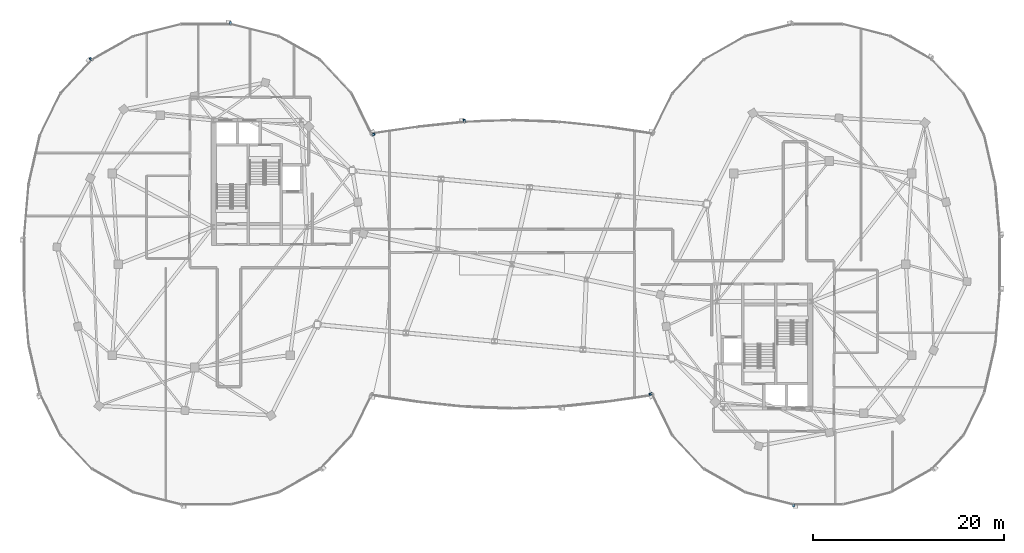
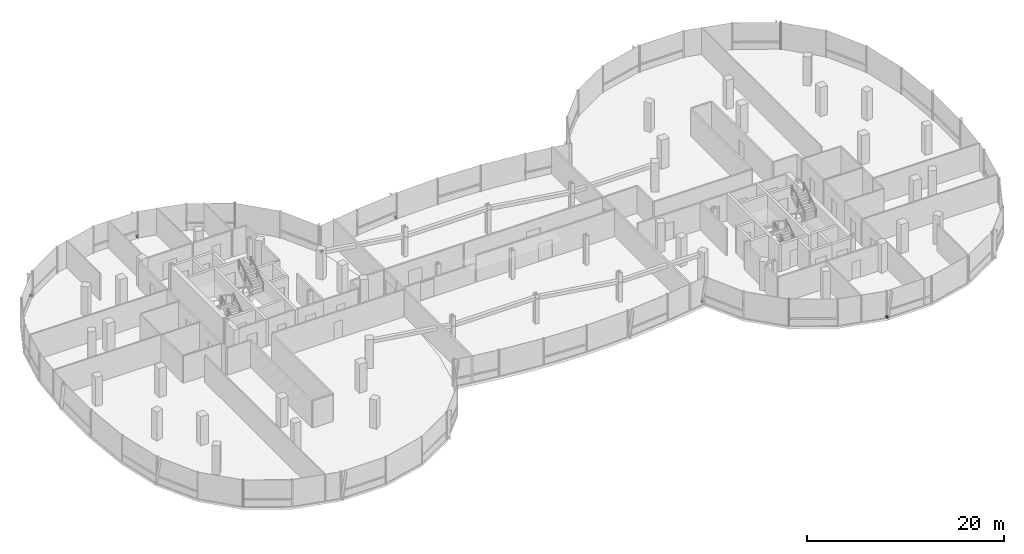
# One storey, part 18 of 25: 6 discrete accessories.
"""IFC4 building model written with IfcOpenShell, lengths in metres."""

from ifc_helpers import new_model, si_unit, direction, frame, origin, origin_2d, place, context, subcontext, project, spatial, rectangle, extrude, material, type_object, element, save


model = new_model("IFC4")

# Units and contexts
model_context = context("Model", 3, precision=1e-05, world=origin(), true_north=direction((0.0, 1.0)))
body_context = subcontext(model_context, "Body", "Model", "MODEL_VIEW")
ifc_project = project(units=[si_unit("LENGTHUNIT", "METRE"), si_unit("AREAUNIT", "SQUARE_METRE"), si_unit("VOLUMEUNIT", "CUBIC_METRE"), si_unit("PLANEANGLEUNIT", "RADIAN"), si_unit("MASSUNIT", "GRAM", prefix="KILO"), si_unit("THERMODYNAMICTEMPERATUREUNIT", "KELVIN"), si_unit("POWERUNIT", "WATT")], contexts=[model_context])

# Site, building, storey
site_placement = place(None, origin())
site = spatial("IfcSite", under=ifc_project, at=site_placement, CompositionType="ELEMENT")
building_placement = place(site_placement, origin())
building = spatial("IfcBuilding", under=site, at=building_placement, Name="Cundina Bronze Exchange", CompositionType="ELEMENT")
storey_placement = place(building_placement, frame((0.0, 0.0, 239.60009765625)))
storey = spatial("IfcBuildingStorey", under=building, at=storey_placement, Name="L63", CompositionType="ELEMENT", Elevation=239.60009765625)

# Discrete accessories
ifc_material = material(Name="Anodised Bronze Aluminium 6063-T6", Category="aluminium")
discrete_accessory_type = type_object("IfcDiscreteAccessoryType", Name="ACC-BRK-FIN", PredefinedType="BRACKET", material=ifc_material)
for number, where, z_axis, x_axis, name in (
    (1, (-14.505126953125, 13.565673828125, 0.10009765625), (0.0, 0.0, 1.0), (-0.440503330345, 0.897750976582, 0.0), "L63 Fin Support Bracket 1"),
    (2, (-29.423583984375, 25.25, 0.10009765625), (0.0, 0.0, 1.0), (-1.0, 0.0, 0.0), "L63 Fin Support Bracket 5"),
    (3, (-44.042236328125, 21.4755859375, 0.10009765625), (0.0, 0.0, 1.0), (-0.684343512797, -0.72915976061, 0.0), "L63 Fin Support Bracket 1"),
    (4, (14.505126953125, -13.565673828125, 0.10009765625), (0.0, 0.0, 1.0), (0.440503330345, -0.897750976582, 0.0), "L63 Fin Support Bracket 1"),
    (5, (29.423583984375, -25.25, 0.10009765625), (0.0, 0.0, 1.0), (1.0, 0.0, 0.0), "L63 Fin Support Bracket 5"),
    (6, (-5.003173828125, 15.01953125, 0.10009765625), (0.0, 0.0, 1.0), (-0.994672274174, -0.103087666525, 0.0), "L63 Fin Support Bracket 5"),
):
    element("IfcDiscreteAccessory", number, at=place(storey_placement, frame(where, z_axis=z_axis, x_axis=x_axis)), inside=storey, type_object=discrete_accessory_type, Name=name, PredefinedType="BRACKET", context=body_context, shape_type="SweptSolid", body=[
        extrude(rectangle(XDim=0.219970703125, YDim=0.320068359375, at=origin_2d()), origin(), (0.0, 0.0, 1.0), 0.239990234375),
    ])

save(model, "model.ifc")
